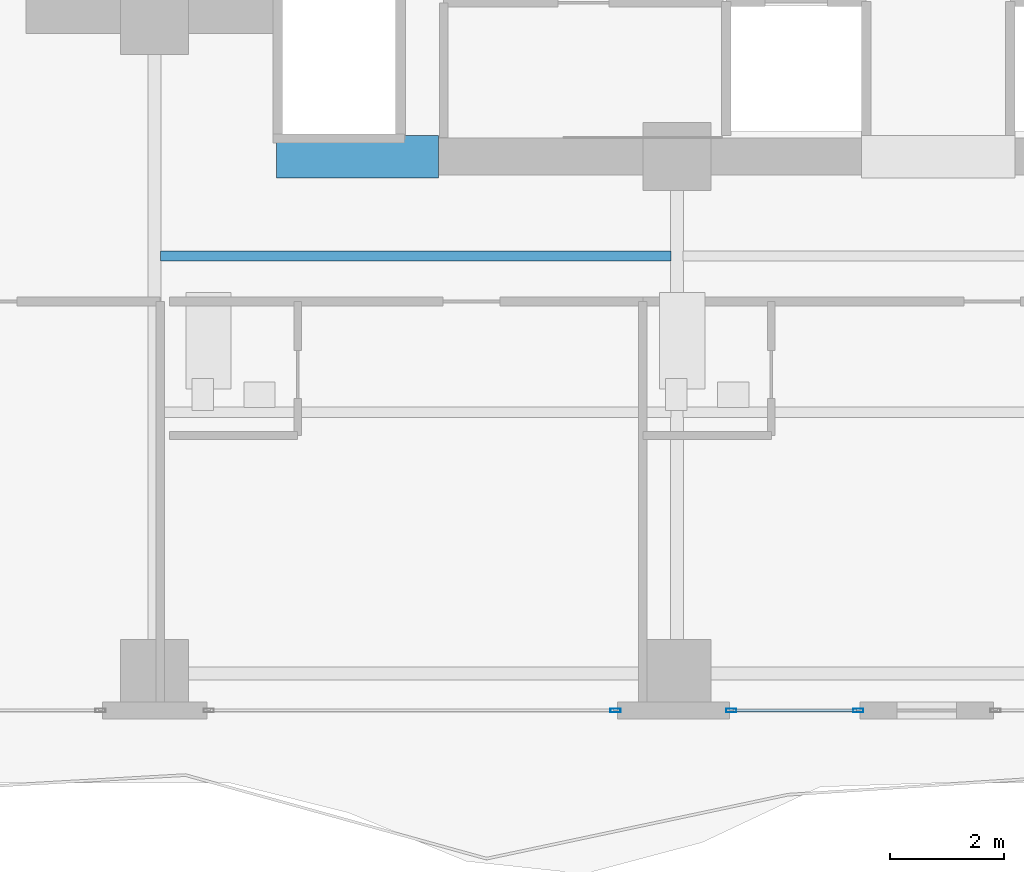
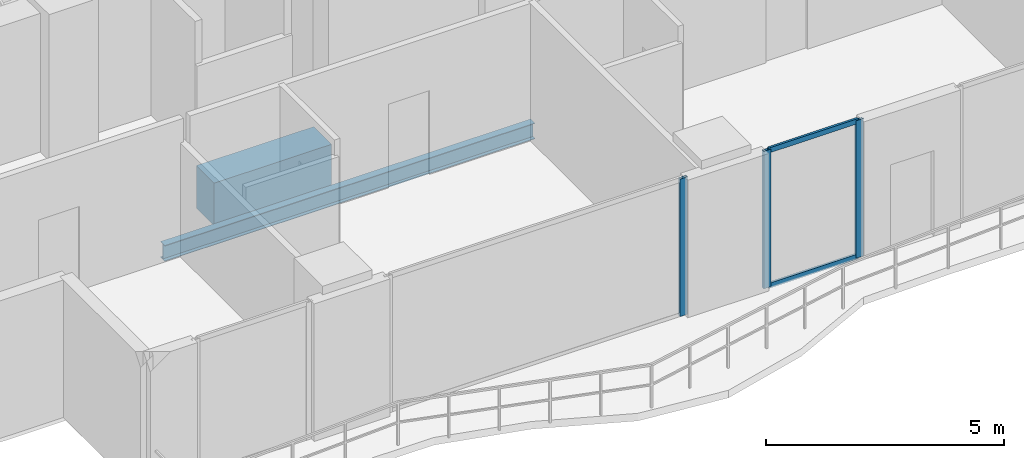
# One storey, part 5 of 32: 5 members, 2 beams, 2 elements without a shape of their own.
"""IFC4 building model written with IfcOpenShell, lengths in metres."""

from ifc_helpers import new_model, si_unit, direction, frame, origin, origin_2d, place, context, subcontext, project, spatial, rectangle, hollow_rectangle, i_section, extrude, material, layer, layer_set, material_profile, profile_set, type_object, element, aggregate, save


model = new_model("IFC4")

# Units and contexts
model_context = context("Model", 3, precision=1e-05, world=origin(), true_north=direction((0.0, 1.0)))
body_context = subcontext(model_context, "Body", "Model", "MODEL_VIEW")
ifc_project = project(units=[si_unit("LENGTHUNIT", "METRE"), si_unit("AREAUNIT", "SQUARE_METRE"), si_unit("VOLUMEUNIT", "CUBIC_METRE"), si_unit("PLANEANGLEUNIT", "RADIAN"), si_unit("MASSUNIT", "GRAM", prefix="KILO")], contexts=[model_context])

# Site, building, storey
site_placement = place(None, origin())
site = spatial("IfcSite", under=ifc_project, at=site_placement, CompositionType="ELEMENT")
building_placement = place(site_placement, origin())
building = spatial("IfcBuilding", under=site, at=building_placement, Name="Zuhayl Quay Hotel", CompositionType="ELEMENT")
storey_placement = place(building_placement, frame((0.0, 0.0, 181.14990234375)))
storey = spatial("IfcBuildingStorey", under=building, at=storey_placement, Name="L45", CompositionType="ELEMENT", Elevation=181.14990234375)

# Beams
ifc_material_1 = material(Name="Concrete C60/75", Category="concrete")
ifc_material_profile_1 = material_profile(ifc_material_1, rectangle(XDim=0.75, YDim=1.10009765625, at=origin_2d()), Name="RC750X1100")
ifc_profile_set_1 = profile_set([ifc_material_profile_1], Name="Concrete C60/75")
beam_type_1 = type_object("IfcBeamType", Name="BM_CB2_RC750", PredefinedType="T_BEAM", material=ifc_profile_set_1)
beam_1_placement = place(storey_placement, frame((-11.64990234375, 2.14990234375, -0.77001953125), z_axis=(1.0, 0.0, 0.0), x_axis=(0.0, 1.0, 0.0)))
element("IfcBeam", 1, at=beam_1_placement, inside=storey, type_object=beam_type_1, Name="L45 Core Coupling Beam SW", PredefinedType="T_BEAM", context=body_context, shape_type="SweptSolid", body=[
    extrude(rectangle(XDim=0.75, YDim=1.10009765625, at=origin_2d()), origin(), (0.0, 0.0, 1.0), 2.849853515625),
])
ifc_material_2 = material(Name="Steel ASTM A992 Grade 50", Category="steel")
ifc_material_profile_2 = material_profile(ifc_material_2, i_section(OverallWidth=0.177978515625, OverallDepth=0.406005859375, WebThickness=0.0078125, FlangeThickness=0.0126953125, at=origin_2d()), Name="W16X40")
ifc_profile_set_2 = profile_set([ifc_material_profile_2], Name="Steel ASTM A992 Grade 50")
beam_type_2 = type_object("IfcBeamType", Name="BM_J2B_W16X40", PredefinedType="JOIST", material=ifc_profile_set_2)
beam_2_placement = place(storey_placement, frame((-13.694091796875, 0.39990234375, -0.4228515625), z_axis=(1.0, 0.0, 0.0), x_axis=(0.0, 1.0, 0.0)))
element("IfcBeam", 2, at=beam_2_placement, inside=storey, type_object=beam_type_2, Name="L45 Floor Beam FJ_L45_8_1", PredefinedType="JOIST", context=body_context, shape_type="SweptSolid", body=[
    extrude(i_section(OverallWidth=0.177978515625, OverallDepth=0.406005859375, WebThickness=0.0078125, FlangeThickness=0.0126953125, at=origin_2d()), origin(), (0.0, 0.0, 1.0), 8.988037109375),
])

# Curtain wall, members
ifc_material_3 = material(Name="Anodised Aluminium 6063-T6", Category="aluminium")
ifc_layer = layer(ifc_material_3, 0.175048828125, Name="Anodised Aluminium 6063-T6", Category="aluminium")
ifc_layer_set = layer_set([ifc_layer], Name="Anodised Aluminium 6063-T6")
curtain_wall_type = type_object("IfcCurtainWallType", Name="CW_SYS_Z3", PredefinedType="USERDEFINED", material=ifc_layer_set)
curtain_wall_1_placement = place(storey_placement, origin())
curtain_wall_1 = element("IfcCurtainWall", 3, at=curtain_wall_1_placement, inside=storey, type_object=curtain_wall_type, Name="L45 Curtain Wall ENV_L45_S_CW4", ObjectType="UNITISED CURTAIN WALL", PredefinedType="USERDEFINED")
ifc_material_4 = material(Name="Black-anodised aluminium 6063-T6", Category="aluminium")
ifc_material_profile_3 = material_profile(ifc_material_4, hollow_rectangle(XDim=0.06494140625, YDim=0.179931640625, WallThickness=0.00341796875, at=origin_2d()), Name="ALU180X65")
ifc_profile_set_3 = profile_set([ifc_material_profile_3], Name="Black-anodised aluminium 6063-T6")
member_type_1 = type_object("IfcMemberType", Name="MB_CW_MUL_180", PredefinedType="MULLION", material=ifc_profile_set_3)
member_1_placement = place(storey_placement, frame((-1.407470703125, -7.60009765625, 0.0), z_axis=(0.0, 0.0, 1.0), x_axis=(0.0, -1.0, 0.0)))
member_1 = element("IfcMember", 4, at=member_1_placement, type_object=member_type_1, Name="CW-Z3 mullion 1", PredefinedType="MULLION", context=body_context, shape_type="SweptSolid", body=[
    extrude(hollow_rectangle(XDim=0.06494140625, YDim=0.179931640625, WallThickness=0.00341796875, at=origin_2d()), origin(), (0.0, 0.0, 1.0), 3.530029296875),
])
member_2_placement = place(storey_placement, frame((-3.6474609375, -7.60009765625, 0.0), z_axis=(0.0, 0.0, 1.0), x_axis=(0.0, -1.0, 0.0)))
member_2 = element("IfcMember", 5, at=member_2_placement, type_object=member_type_1, Name="CW-Z3 mullion 2", PredefinedType="MULLION", context=body_context, shape_type="SweptSolid", body=[
    extrude(hollow_rectangle(XDim=0.06494140625, YDim=0.179931640625, WallThickness=0.00341796875, at=origin_2d()), origin(), (0.0, 0.0, 1.0), 3.530029296875),
])

# Curtain wall, member
curtain_wall_2_placement = place(storey_placement, origin())
curtain_wall_2 = element("IfcCurtainWall", 6, at=curtain_wall_2_placement, inside=storey, type_object=curtain_wall_type, Name="L45 Curtain Wall ENV_L45_S_CW5", ObjectType="UNITISED CURTAIN WALL", PredefinedType="USERDEFINED")
member_3_placement = place(storey_placement, frame((-5.6826171875, -7.60009765625, 0.0), z_axis=(0.0, 0.0, 1.0), x_axis=(0.0, -1.0, 0.0)))
member_3 = element("IfcMember", 7, at=member_3_placement, type_object=member_type_1, Name="CW-Z3 mullion 1", PredefinedType="MULLION", context=body_context, shape_type="SweptSolid", body=[
    extrude(hollow_rectangle(XDim=0.06494140625, YDim=0.179931640625, WallThickness=0.00341796875, at=origin_2d()), origin(), (0.0, 0.0, 1.0), 3.530029296875),
])
aggregate(curtain_wall_2, [member_3])

# Member
ifc_material_profile_4 = material_profile(ifc_material_4, hollow_rectangle(XDim=0.054931640625, YDim=0.1298828125, WallThickness=0.0029296875, at=origin_2d()), Name="ALU130X55")
ifc_profile_set_4 = profile_set([ifc_material_profile_4], Name="Black-anodised aluminium 6063-T6")
member_type_2 = type_object("IfcMemberType", Name="MB_CW_TRN_130", PredefinedType="USERDEFINED", material=ifc_profile_set_4)
member_4_placement = place(storey_placement, frame((-1.43994140625, -7.60009765625, 0.027587890625), z_axis=(-1.0, 0.0, 0.0), x_axis=(0.0, -1.0, 0.0)))
member_4 = element("IfcMember", 8, at=member_4_placement, type_object=member_type_2, Name="CW-Z3 transom 1.1", ObjectType="TRANSOM", PredefinedType="USERDEFINED", context=body_context, shape_type="SweptSolid", body=[
    extrude(hollow_rectangle(XDim=0.054931640625, YDim=0.1298828125, WallThickness=0.0029296875, at=origin_2d()), origin(), (0.0, 0.0, 1.0), 2.175048828125),
])

member_5_placement = place(storey_placement, frame((-1.43994140625, -7.60009765625, 3.502685546875), z_axis=(-1.0, 0.0, 0.0), x_axis=(0.0, -1.0, 0.0)))
member_5 = element("IfcMember", 9, at=member_5_placement, type_object=member_type_2, Name="CW-Z3 transom 1.2", ObjectType="TRANSOM", PredefinedType="USERDEFINED", context=body_context, shape_type="SweptSolid", body=[
    extrude(hollow_rectangle(XDim=0.054931640625, YDim=0.1298828125, WallThickness=0.0029296875, at=origin_2d()), origin(), (0.0, 0.0, 1.0), 2.175048828125),
])

aggregate(curtain_wall_1, [member_1, member_2, member_4, member_5])

save(model, "model.ifc")
